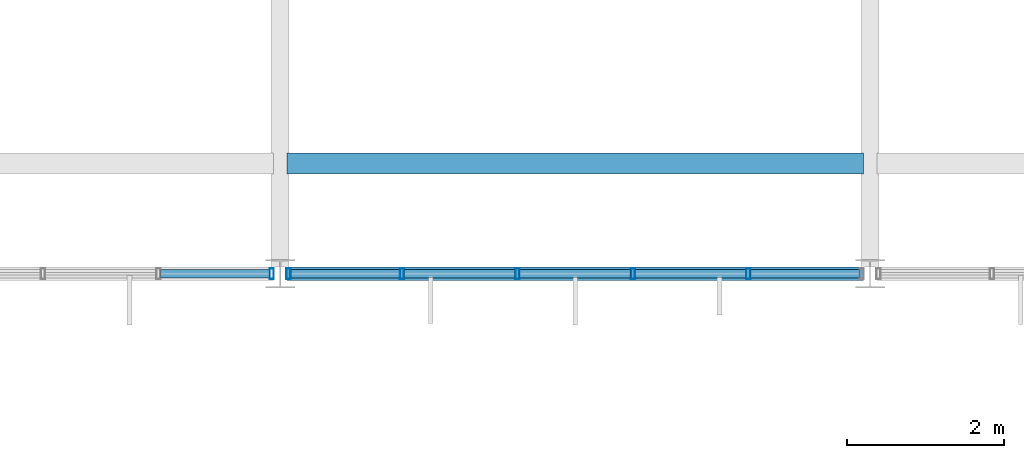
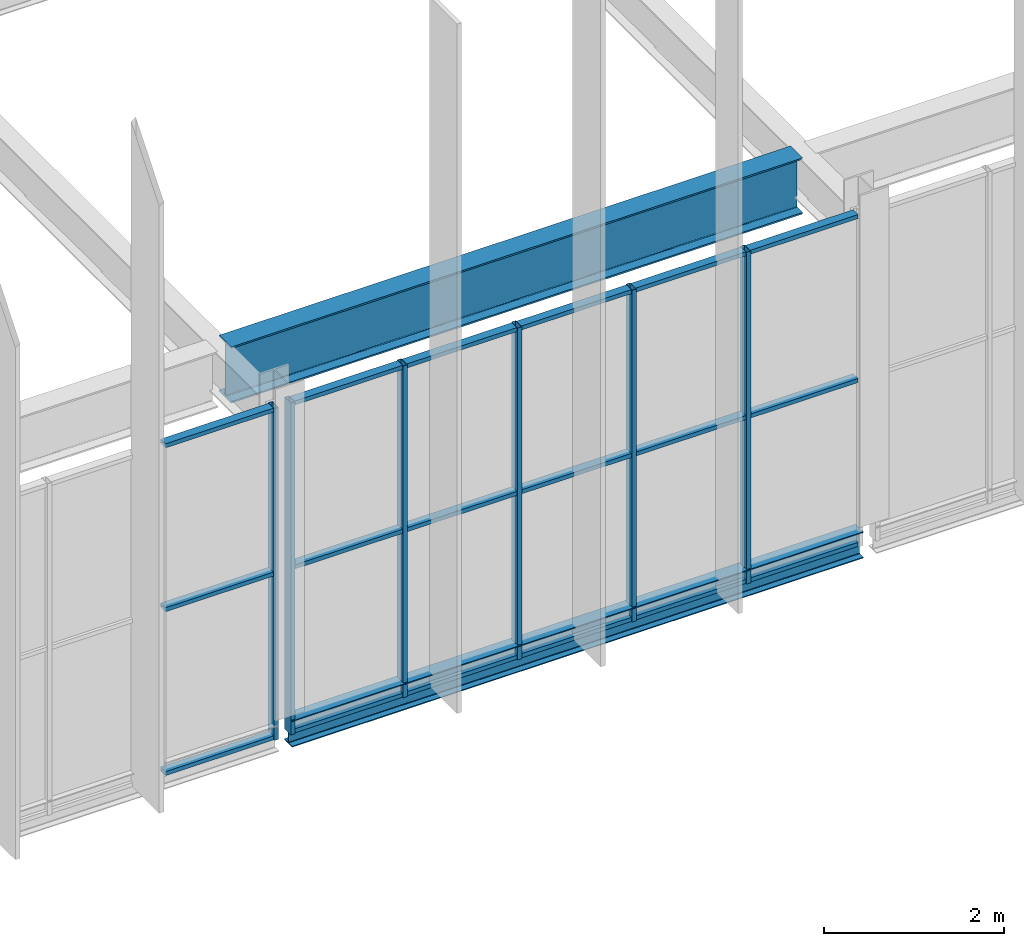
# One storey, part 69 of 324: 24 members, 2 beams, 2 elements without a shape of their own.
"""IFC4 building model written with IfcOpenShell, lengths in metres."""

from ifc_helpers import new_model, si_unit, direction, frame, origin, origin_2d, place, context, subcontext, project, spatial, hollow_rectangle, i_section, extrude, material, layer, layer_set, material_profile, profile_set, type_object, element, aggregate, save


model = new_model("IFC4")

# Units and contexts
model_context = context("Model", 3, precision=1e-05, world=origin(), true_north=direction((0.0, 1.0)))
body_context = subcontext(model_context, "Body", "Model", "MODEL_VIEW")
ifc_project = project(units=[si_unit("LENGTHUNIT", "METRE"), si_unit("AREAUNIT", "SQUARE_METRE"), si_unit("VOLUMEUNIT", "CUBIC_METRE"), si_unit("PLANEANGLEUNIT", "RADIAN"), si_unit("MASSUNIT", "GRAM", prefix="KILO")], contexts=[model_context])

# Site, building, storey
site_placement = place(None, origin())
site = spatial("IfcSite", under=ifc_project, at=site_placement, CompositionType="ELEMENT")
building_placement = place(site_placement, origin())
building = spatial("IfcBuilding", under=site, at=building_placement, Name="Solvenia Promenade Tram Depot", CompositionType="ELEMENT")
storey_placement = place(building_placement, frame((0.0, 0.0, 4.5)))
storey = spatial("IfcBuildingStorey", under=building, at=storey_placement, Name="L01", CompositionType="ELEMENT", Elevation=4.5)

# Curtain wall, member
ifc_material_1 = material(Name="Anodized aluminium AW-6063 T6", Category="aluminium")
ifc_layer = layer(ifc_material_1, 0.080078125, Name="Anodized aluminium AW-6063 T6", Category="aluminium")
ifc_layer_set = layer_set([ifc_layer], Name="Anodized aluminium AW-6063 T6")
curtain_wall_type = type_object("IfcCurtainWallType", Name="CW-Clerest-1500", PredefinedType="NOTDEFINED", material=ifc_layer_set)
curtain_wall_1_placement = place(storey_placement, origin())
curtain_wall_1 = element("IfcCurtainWall", 1, at=curtain_wall_1_placement, inside=storey, type_object=curtain_wall_type, Name="Curtain Wall CW-V2S-L1-01", PredefinedType="NOTDEFINED")
ifc_material_profile_1 = material_profile(ifc_material_1, hollow_rectangle(XDim=0.139892578125, YDim=0.054931640625, WallThickness=0.00390625, at=origin_2d()), Name="ALU-M4", Category="aluminium")
ifc_profile_set_1 = profile_set([ifc_material_profile_1], Name="Anodized aluminium AW-6063 T6")
member_type_1 = type_object("IfcMemberType", Name="CWM-Mullion-4", PredefinedType="MULLION", material=ifc_profile_set_1)
member_1_placement = place(storey_placement, frame((112.392578125, 24.0, -0.35009765625), z_axis=(0.0, 0.0, 1.0), x_axis=(0.0, 1.0, 0.0)))
member_1 = element("IfcMember", 2, at=member_1_placement, type_object=member_type_1, Name="CW-4 mullion 6", PredefinedType="MULLION", context=body_context, shape_type="SweptSolid", body=[
    extrude(hollow_rectangle(XDim=0.139892578125, YDim=0.054931640625, WallThickness=0.00390625, at=origin_2d()), origin(), (0.0, 0.0, 1.0), 4.5),
])

# Curtain wall, members
curtain_wall_2_placement = place(storey_placement, origin())
curtain_wall_2 = element("IfcCurtainWall", 3, at=curtain_wall_2_placement, inside=storey, type_object=curtain_wall_type, Name="Curtain Wall CW-V2S-L1-02", PredefinedType="NOTDEFINED")
member_2_placement = place(storey_placement, frame((112.607421875, 24.0, -0.35009765625), z_axis=(0.0, 0.0, 1.0), x_axis=(0.0, 1.0, 0.0)))
member_2 = element("IfcMember", 4, at=member_2_placement, type_object=member_type_1, Name="CW-4 mullion 1", PredefinedType="MULLION", context=body_context, shape_type="SweptSolid", body=[
    extrude(hollow_rectangle(XDim=0.139892578125, YDim=0.054931640625, WallThickness=0.00390625, at=origin_2d()), origin(), (0.0, 0.0, 1.0), 4.5),
])
member_3_placement = place(storey_placement, frame((114.048095703125, 24.0, -0.35009765625), z_axis=(0.0, 0.0, 1.0), x_axis=(0.0, 1.0, 0.0)))
member_3 = element("IfcMember", 5, at=member_3_placement, type_object=member_type_1, Name="CW-4 mullion 2", PredefinedType="MULLION", context=body_context, shape_type="SweptSolid", body=[
    extrude(hollow_rectangle(XDim=0.139892578125, YDim=0.054931640625, WallThickness=0.00390625, at=origin_2d()), origin(), (0.0, 0.0, 1.0), 4.5),
])
member_4_placement = place(storey_placement, frame((115.51611328125, 24.0, -0.35009765625), z_axis=(0.0, 0.0, 1.0), x_axis=(0.0, 1.0, 0.0)))
member_4 = element("IfcMember", 6, at=member_4_placement, type_object=member_type_1, Name="CW-4 mullion 3", PredefinedType="MULLION", context=body_context, shape_type="SweptSolid", body=[
    extrude(hollow_rectangle(XDim=0.139892578125, YDim=0.054931640625, WallThickness=0.00390625, at=origin_2d()), origin(), (0.0, 0.0, 1.0), 4.5),
])
member_5_placement = place(storey_placement, frame((116.98388671875, 24.0, -0.35009765625), z_axis=(0.0, 0.0, 1.0), x_axis=(0.0, 1.0, 0.0)))
member_5 = element("IfcMember", 7, at=member_5_placement, type_object=member_type_1, Name="CW-4 mullion 4", PredefinedType="MULLION", context=body_context, shape_type="SweptSolid", body=[
    extrude(hollow_rectangle(XDim=0.139892578125, YDim=0.054931640625, WallThickness=0.00390625, at=origin_2d()), origin(), (0.0, 0.0, 1.0), 4.5),
])
member_6_placement = place(storey_placement, frame((118.451904296875, 24.0, -0.35009765625), z_axis=(0.0, 0.0, 1.0), x_axis=(0.0, 1.0, 0.0)))
member_6 = element("IfcMember", 8, at=member_6_placement, type_object=member_type_1, Name="CW-4 mullion 5", PredefinedType="MULLION", context=body_context, shape_type="SweptSolid", body=[
    extrude(hollow_rectangle(XDim=0.139892578125, YDim=0.054931640625, WallThickness=0.00390625, at=origin_2d()), origin(), (0.0, 0.0, 1.0), 4.5),
])

# Member
ifc_material_profile_2 = material_profile(ifc_material_1, hollow_rectangle(XDim=0.110107421875, YDim=0.054931640625, WallThickness=0.00390625, at=origin_2d()), Name="ALU-T4", Category="aluminium")
ifc_profile_set_2 = profile_set([ifc_material_profile_2], Name="Anodized aluminium AW-6063 T6")
member_type_2 = type_object("IfcMemberType", Name="CWT-Transom-4", PredefinedType="USERDEFINED", material=ifc_profile_set_2)
member_7_placement = place(storey_placement, frame((110.9794921875, 24.0, -0.322509765625), z_axis=(1.0, 0.0, 0.0), x_axis=(0.0, 1.0, 0.0)))
member_7 = element("IfcMember", 9, at=member_7_placement, type_object=member_type_2, Name="CW-4 transom 5.1", ObjectType="TRANSOM", PredefinedType="USERDEFINED", context=body_context, shape_type="SweptSolid", body=[
    extrude(hollow_rectangle(XDim=0.110107421875, YDim=0.054931640625, WallThickness=0.00390625, at=origin_2d()), origin(), (0.0, 0.0, 1.0), 1.385498046875),
])

member_8_placement = place(storey_placement, frame((110.9794921875, 24.0, 1.89990234375), z_axis=(1.0, 0.0, 0.0), x_axis=(0.0, 1.0, 0.0)))
member_8 = element("IfcMember", 10, at=member_8_placement, type_object=member_type_2, Name="CW-4 transom 5.2", ObjectType="TRANSOM", PredefinedType="USERDEFINED", context=body_context, shape_type="SweptSolid", body=[
    extrude(hollow_rectangle(XDim=0.110107421875, YDim=0.054931640625, WallThickness=0.00390625, at=origin_2d()), origin(), (0.0, 0.0, 1.0), 1.385498046875),
])

member_9_placement = place(storey_placement, frame((110.9794921875, 24.0, 4.12255859375), z_axis=(1.0, 0.0, 0.0), x_axis=(0.0, 1.0, 0.0)))
member_9 = element("IfcMember", 11, at=member_9_placement, type_object=member_type_2, Name="CW-4 transom 5.3", ObjectType="TRANSOM", PredefinedType="USERDEFINED", context=body_context, shape_type="SweptSolid", body=[
    extrude(hollow_rectangle(XDim=0.110107421875, YDim=0.054931640625, WallThickness=0.00390625, at=origin_2d()), origin(), (0.0, 0.0, 1.0), 1.385498046875),
])

aggregate(curtain_wall_1, [member_1, member_7, member_8, member_9])

member_10_placement = place(storey_placement, frame((112.635009765625, 24.0, -0.322509765625), z_axis=(1.0, 0.0, 0.0), x_axis=(0.0, 1.0, 0.0)))
member_10 = element("IfcMember", 12, at=member_10_placement, type_object=member_type_2, Name="CW-4 transom 1.1", ObjectType="TRANSOM", PredefinedType="USERDEFINED", context=body_context, shape_type="SweptSolid", body=[
    extrude(hollow_rectangle(XDim=0.110107421875, YDim=0.054931640625, WallThickness=0.00390625, at=origin_2d()), origin(), (0.0, 0.0, 1.0), 1.385498046875),
])

member_11_placement = place(storey_placement, frame((112.635009765625, 24.0, 1.89990234375), z_axis=(1.0, 0.0, 0.0), x_axis=(0.0, 1.0, 0.0)))
member_11 = element("IfcMember", 13, at=member_11_placement, type_object=member_type_2, Name="CW-4 transom 1.2", ObjectType="TRANSOM", PredefinedType="USERDEFINED", context=body_context, shape_type="SweptSolid", body=[
    extrude(hollow_rectangle(XDim=0.110107421875, YDim=0.054931640625, WallThickness=0.00390625, at=origin_2d()), origin(), (0.0, 0.0, 1.0), 1.385498046875),
])

member_12_placement = place(storey_placement, frame((112.635009765625, 24.0, 4.12255859375), z_axis=(1.0, 0.0, 0.0), x_axis=(0.0, 1.0, 0.0)))
member_12 = element("IfcMember", 14, at=member_12_placement, type_object=member_type_2, Name="CW-4 transom 1.3", ObjectType="TRANSOM", PredefinedType="USERDEFINED", context=body_context, shape_type="SweptSolid", body=[
    extrude(hollow_rectangle(XDim=0.110107421875, YDim=0.054931640625, WallThickness=0.00390625, at=origin_2d()), origin(), (0.0, 0.0, 1.0), 1.385498046875),
])

member_13_placement = place(storey_placement, frame((114.075439453125, 24.0, -0.322509765625), z_axis=(1.0, 0.0, 0.0), x_axis=(0.0, 1.0, 0.0)))
member_13 = element("IfcMember", 15, at=member_13_placement, type_object=member_type_2, Name="CW-4 transom 2.1", ObjectType="TRANSOM", PredefinedType="USERDEFINED", context=body_context, shape_type="SweptSolid", body=[
    extrude(hollow_rectangle(XDim=0.110107421875, YDim=0.054931640625, WallThickness=0.00390625, at=origin_2d()), origin(), (0.0, 0.0, 1.0), 1.4130859375),
])

member_14_placement = place(storey_placement, frame((114.075439453125, 24.0, 1.89990234375), z_axis=(1.0, 0.0, 0.0), x_axis=(0.0, 1.0, 0.0)))
member_14 = element("IfcMember", 16, at=member_14_placement, type_object=member_type_2, Name="CW-4 transom 2.2", ObjectType="TRANSOM", PredefinedType="USERDEFINED", context=body_context, shape_type="SweptSolid", body=[
    extrude(hollow_rectangle(XDim=0.110107421875, YDim=0.054931640625, WallThickness=0.00390625, at=origin_2d()), origin(), (0.0, 0.0, 1.0), 1.4130859375),
])

member_15_placement = place(storey_placement, frame((114.075439453125, 24.0, 4.12255859375), z_axis=(1.0, 0.0, 0.0), x_axis=(0.0, 1.0, 0.0)))
member_15 = element("IfcMember", 17, at=member_15_placement, type_object=member_type_2, Name="CW-4 transom 2.3", ObjectType="TRANSOM", PredefinedType="USERDEFINED", context=body_context, shape_type="SweptSolid", body=[
    extrude(hollow_rectangle(XDim=0.110107421875, YDim=0.054931640625, WallThickness=0.00390625, at=origin_2d()), origin(), (0.0, 0.0, 1.0), 1.4130859375),
])

member_16_placement = place(storey_placement, frame((115.54345703125, 24.0, -0.322509765625), z_axis=(1.0, 0.0, 0.0), x_axis=(0.0, 1.0, 0.0)))
member_16 = element("IfcMember", 18, at=member_16_placement, type_object=member_type_2, Name="CW-4 transom 3.1", ObjectType="TRANSOM", PredefinedType="USERDEFINED", context=body_context, shape_type="SweptSolid", body=[
    extrude(hollow_rectangle(XDim=0.110107421875, YDim=0.054931640625, WallThickness=0.00390625, at=origin_2d()), origin(), (0.0, 0.0, 1.0), 1.4130859375),
])

member_17_placement = place(storey_placement, frame((115.54345703125, 24.0, 1.89990234375), z_axis=(1.0, 0.0, 0.0), x_axis=(0.0, 1.0, 0.0)))
member_17 = element("IfcMember", 19, at=member_17_placement, type_object=member_type_2, Name="CW-4 transom 3.2", ObjectType="TRANSOM", PredefinedType="USERDEFINED", context=body_context, shape_type="SweptSolid", body=[
    extrude(hollow_rectangle(XDim=0.110107421875, YDim=0.054931640625, WallThickness=0.00390625, at=origin_2d()), origin(), (0.0, 0.0, 1.0), 1.4130859375),
])

member_18_placement = place(storey_placement, frame((115.54345703125, 24.0, 4.12255859375), z_axis=(1.0, 0.0, 0.0), x_axis=(0.0, 1.0, 0.0)))
member_18 = element("IfcMember", 20, at=member_18_placement, type_object=member_type_2, Name="CW-4 transom 3.3", ObjectType="TRANSOM", PredefinedType="USERDEFINED", context=body_context, shape_type="SweptSolid", body=[
    extrude(hollow_rectangle(XDim=0.110107421875, YDim=0.054931640625, WallThickness=0.00390625, at=origin_2d()), origin(), (0.0, 0.0, 1.0), 1.4130859375),
])

member_19_placement = place(storey_placement, frame((117.011474609375, 24.0, -0.322509765625), z_axis=(1.0, 0.0, 0.0), x_axis=(0.0, 1.0, 0.0)))
member_19 = element("IfcMember", 21, at=member_19_placement, type_object=member_type_2, Name="CW-4 transom 4.1", ObjectType="TRANSOM", PredefinedType="USERDEFINED", context=body_context, shape_type="SweptSolid", body=[
    extrude(hollow_rectangle(XDim=0.110107421875, YDim=0.054931640625, WallThickness=0.00390625, at=origin_2d()), origin(), (0.0, 0.0, 1.0), 1.4130859375),
])

member_20_placement = place(storey_placement, frame((117.011474609375, 24.0, 1.89990234375), z_axis=(1.0, 0.0, 0.0), x_axis=(0.0, 1.0, 0.0)))
member_20 = element("IfcMember", 22, at=member_20_placement, type_object=member_type_2, Name="CW-4 transom 4.2", ObjectType="TRANSOM", PredefinedType="USERDEFINED", context=body_context, shape_type="SweptSolid", body=[
    extrude(hollow_rectangle(XDim=0.110107421875, YDim=0.054931640625, WallThickness=0.00390625, at=origin_2d()), origin(), (0.0, 0.0, 1.0), 1.4130859375),
])

member_21_placement = place(storey_placement, frame((117.011474609375, 24.0, 4.12255859375), z_axis=(1.0, 0.0, 0.0), x_axis=(0.0, 1.0, 0.0)))
member_21 = element("IfcMember", 23, at=member_21_placement, type_object=member_type_2, Name="CW-4 transom 4.3", ObjectType="TRANSOM", PredefinedType="USERDEFINED", context=body_context, shape_type="SweptSolid", body=[
    extrude(hollow_rectangle(XDim=0.110107421875, YDim=0.054931640625, WallThickness=0.00390625, at=origin_2d()), origin(), (0.0, 0.0, 1.0), 1.4130859375),
])

member_22_placement = place(storey_placement, frame((118.4794921875, 24.0, -0.322509765625), z_axis=(1.0, 0.0, 0.0), x_axis=(0.0, 1.0, 0.0)))
member_22 = element("IfcMember", 24, at=member_22_placement, type_object=member_type_2, Name="CW-4 transom 5.1", ObjectType="TRANSOM", PredefinedType="USERDEFINED", context=body_context, shape_type="SweptSolid", body=[
    extrude(hollow_rectangle(XDim=0.110107421875, YDim=0.054931640625, WallThickness=0.00390625, at=origin_2d()), origin(), (0.0, 0.0, 1.0), 1.385498046875),
])

member_23_placement = place(storey_placement, frame((118.4794921875, 24.0, 1.89990234375), z_axis=(1.0, 0.0, 0.0), x_axis=(0.0, 1.0, 0.0)))
member_23 = element("IfcMember", 25, at=member_23_placement, type_object=member_type_2, Name="CW-4 transom 5.2", ObjectType="TRANSOM", PredefinedType="USERDEFINED", context=body_context, shape_type="SweptSolid", body=[
    extrude(hollow_rectangle(XDim=0.110107421875, YDim=0.054931640625, WallThickness=0.00390625, at=origin_2d()), origin(), (0.0, 0.0, 1.0), 1.385498046875),
])

member_24_placement = place(storey_placement, frame((118.4794921875, 24.0, 4.12255859375), z_axis=(1.0, 0.0, 0.0), x_axis=(0.0, 1.0, 0.0)))
member_24 = element("IfcMember", 26, at=member_24_placement, type_object=member_type_2, Name="CW-4 transom 5.3", ObjectType="TRANSOM", PredefinedType="USERDEFINED", context=body_context, shape_type="SweptSolid", body=[
    extrude(hollow_rectangle(XDim=0.110107421875, YDim=0.054931640625, WallThickness=0.00390625, at=origin_2d()), origin(), (0.0, 0.0, 1.0), 1.385498046875),
])

aggregate(curtain_wall_2, [member_2, member_3, member_4, member_5, member_6, member_10, member_11, member_12, member_13, member_14, member_15, member_16, member_17, member_18, member_19, member_20, member_21, member_22, member_23, member_24])

# Beams
ifc_material_2 = material(Name="Structural steel ASTM A992 Gr. 50", Category="steel")
ifc_material_profile_3 = material_profile(ifc_material_2, i_section(OverallWidth=0.26708984375, OverallDepth=0.761962890625, WebThickness=0.014404296875, FlangeThickness=0.021484375, FilletRadius=0.01806640625, at=origin_2d()), Name="W760x173", Category="steel")
ifc_profile_set_3 = profile_set([ifc_material_profile_3], Name="Structural steel ASTM A992 Gr. 50")
beam_type_1 = type_object("IfcBeamType", Name="Gird-W760x173", PredefinedType="BEAM", material=ifc_profile_set_3)
beam_1_placement = place(storey_placement, frame((112.5849609375, 25.39990234375, 3.718994140625), z_axis=(1.0, 0.0, 0.0), x_axis=(0.0, 1.0, 0.0)))
element("IfcBeam", 27, at=beam_1_placement, inside=storey, type_object=beam_type_1, Name="Bridge Crane Runway Girder BM-L01-0917", PredefinedType="BEAM", context=body_context, shape_type="SweptSolid", body=[
    extrude(i_section(OverallWidth=0.26708984375, OverallDepth=0.761962890625, WebThickness=0.014404296875, FlangeThickness=0.021484375, FilletRadius=0.01806640625, at=origin_2d()), origin(), (0.0, 0.0, 1.0), 7.330078125),
])
ifc_material_profile_4 = material_profile(ifc_material_2, i_section(OverallWidth=0.172119140625, OverallDepth=0.35791015625, WebThickness=0.0078125, FlangeThickness=0.01318359375, FilletRadius=0.010986328125, at=origin_2d()), Name="W360x57", Category="steel")
ifc_profile_set_4 = profile_set([ifc_material_profile_4], Name="Structural steel ASTM A992 Gr. 50")
beam_type_2 = type_object("IfcBeamType", Name="Spandrel-W360x57", PredefinedType="SPANDREL", material=ifc_profile_set_4)
beam_2_placement = place(storey_placement, frame((112.5849609375, 24.0, -0.3291015625), z_axis=(1.0, 0.0, 0.0), x_axis=(0.0, 1.0, 0.0)))
element("IfcBeam", 28, at=beam_2_placement, inside=storey, type_object=beam_type_2, Name="Crane Hall L01 Facade Girt BM-L01-0990", PredefinedType="SPANDREL", context=body_context, shape_type="SweptSolid", body=[
    extrude(i_section(OverallWidth=0.172119140625, OverallDepth=0.35791015625, WebThickness=0.0078125, FlangeThickness=0.01318359375, FilletRadius=0.010986328125, at=origin_2d()), origin(), (0.0, 0.0, 1.0), 7.330078125),
])

save(model, "model.ifc")
